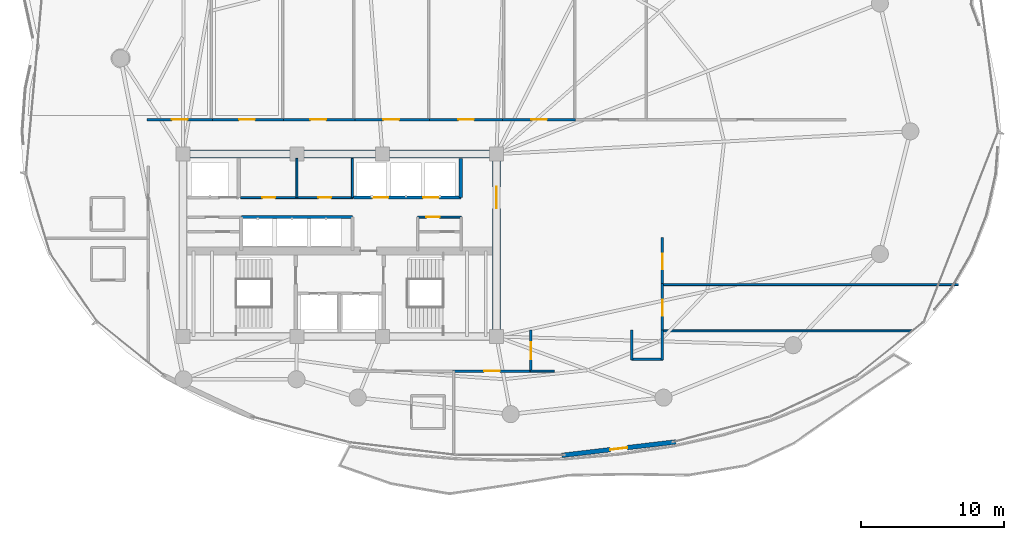
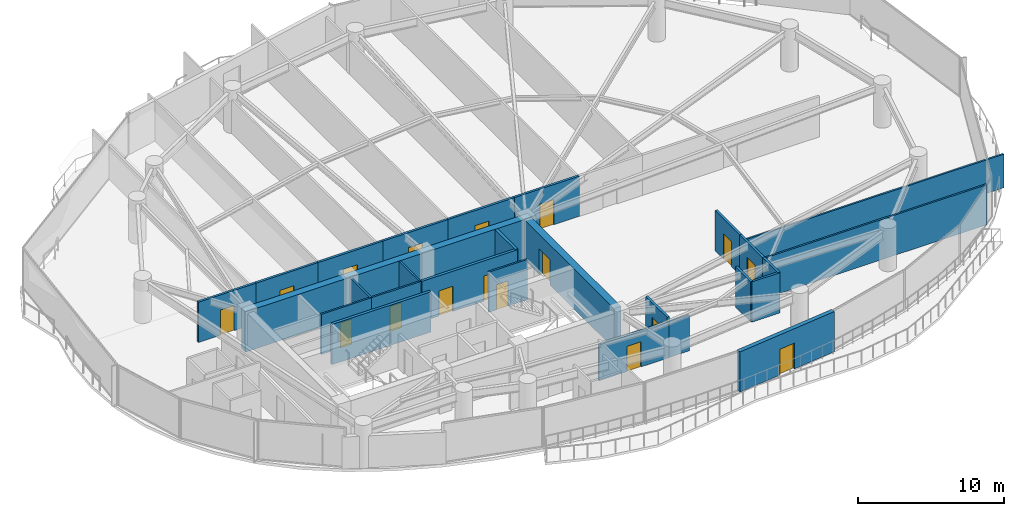
# One storey, part 27 of 33: 27 walls, 17 doors, 17 openings.
"""IFC4 building model written with IfcOpenShell, lengths in metres."""

from ifc_helpers import new_model, si_unit, direction, frame, frame_2d, origin, place, context, subcontext, project, spatial, rectangle, extrude, material, layer, layer_set, type_object, element, fill, save


model = new_model("IFC4")

# Units and contexts
model_context = context("Model", 3, precision=1e-05, world=origin(), true_north=direction((0.0, 1.0)))
body_context = subcontext(model_context, "Body", "Model", "MODEL_VIEW")
ifc_project = project(units=[si_unit("LENGTHUNIT", "METRE"), si_unit("AREAUNIT", "SQUARE_METRE"), si_unit("VOLUMEUNIT", "CUBIC_METRE"), si_unit("PLANEANGLEUNIT", "RADIAN"), si_unit("MASSUNIT", "GRAM", prefix="KILO")], contexts=[model_context])

# Site, building, storey
site_placement = place(None, origin())
site = spatial("IfcSite", under=ifc_project, at=site_placement, CompositionType="ELEMENT")
building_placement = place(site_placement, origin())
building = spatial("IfcBuilding", under=site, at=building_placement, Name="Kazevale Care Tower and Concert Hall", CompositionType="ELEMENT")
storey_placement = place(building_placement, frame((0.0, 0.0, 153.0)))
storey = spatial("IfcBuildingStorey", under=building, at=storey_placement, Name="L40", CompositionType="ELEMENT", Elevation=153.0)

# Wall, opening, door
ifc_material_1 = material(Name="Acoustic Gypsum on Steel Stud", Category="steel")
ifc_layer_1 = layer(ifc_material_1, 0.139892578125)
ifc_layer_set_1 = layer_set([ifc_layer_1], Name="Acoustic Gypsum on Steel Stud")
wall_type_1 = type_object("IfcWallType", Name="Acoustic Care & Suite Partition 140", PredefinedType="PARTITIONING", material=ifc_layer_set_1)
wall_1_placement = place(storey_placement, frame((26.050048828125, 33.35009765625, 0.0), z_axis=(0.0, 0.0, 1.0), x_axis=(1.0, 0.0, 0.0)))
wall_1 = element("IfcWall", 1, at=wall_1_placement, inside=storey, type_object=wall_type_1, Name="wall:L40:c_rpl1_s", PredefinedType="PARTITIONING", context=body_context, shape_type="SweptSolid", body=[
    extrude(rectangle(XDim=3.949951171875, YDim=0.139892578125, at=frame_2d((1.97509765625, 0.0))), origin(), (0.0, 0.0, 1.0), 3.360107421875),
])
opening_1_placement = place(wall_1_placement, frame((1.514892578125, 0.0, 0.0)))
opening_1 = element("IfcOpeningElement", 2, at=opening_1_placement, cuts=wall_1, Name="Opening ID-900", PredefinedType="OPENING", context=body_context, shape_type="SweptSolid", body=[
    extrude(rectangle(XDim=0.919921875, YDim=2.10009765625, at=frame_2d((0.4599609375, 1.050048828125))), frame((0.0, 0.079833984375, 0.0), z_axis=(0.0, -1.0, 0.0), x_axis=(1.0, 0.0, 0.0)), (0.0, 0.0, 1.0), 0.159912109375),
])
ifc_material_2 = material(Name="Oak Timber Fire Leaf", Category="wood")
door_type_1 = type_object("IfcDoorType", Name="Bathroom & Service Door 920x2100", OperationType="NOTDEFINED", PredefinedType="DOOR", material=ifc_material_2)
door_1_placement = place(opening_1_placement, origin())
door_1 = element("IfcDoor", 3, at=door_1_placement, inside=storey, type_object=door_type_1, Name="door:L40:d_rpl1", OperationType="SINGLE_SWING_LEFT", OverallHeight=2.10009765625, OverallWidth=0.919921875, PredefinedType="DOOR", context=body_context, shape_type="SweptSolid", body=[
    extrude(rectangle(XDim=0.919921875, YDim=2.10009765625, at=frame_2d((0.4599609375, 1.050048828125))), frame((0.0, 0.02490234375, 0.0), z_axis=(0.0, -1.0, 0.0), x_axis=(1.0, 0.0, 0.0)), (0.0, 0.0, 1.0), 0.050048828125),
])
fill(opening_1, door_1)

wall_2_placement = place(storey_placement, frame((30.0, 33.35009765625, 0.0), z_axis=(0.0, 0.0, 1.0), x_axis=(1.0, 0.0, 0.0)))
wall_2 = element("IfcWall", 4, at=wall_2_placement, inside=storey, type_object=wall_type_1, Name="wall:L40:c_rpl2_s", PredefinedType="PARTITIONING", context=body_context, shape_type="SweptSolid", body=[
    extrude(rectangle(XDim=3.919921875, YDim=0.139892578125, at=frame_2d((1.9599609375, 0.0))), origin(), (0.0, 0.0, 1.0), 3.360107421875),
])
opening_2_placement = place(wall_2_placement, frame((1.5, 0.0, 0.0)))
opening_2 = element("IfcOpeningElement", 5, at=opening_2_placement, cuts=wall_2, Name="Opening ID-900", PredefinedType="OPENING", context=body_context, shape_type="SweptSolid", body=[
    extrude(rectangle(XDim=0.919921875, YDim=2.10009765625, at=frame_2d((0.4599609375, 1.050048828125))), frame((0.0, 0.079833984375, 0.0), z_axis=(0.0, -1.0, 0.0), x_axis=(1.0, 0.0, 0.0)), (0.0, 0.0, 1.0), 0.159912109375),
])
door_2_placement = place(opening_2_placement, origin())
door_2 = element("IfcDoor", 6, at=door_2_placement, inside=storey, type_object=door_type_1, Name="door:L40:d_rpl2", OperationType="SINGLE_SWING_RIGHT", OverallHeight=2.10009765625, OverallWidth=0.919921875, PredefinedType="DOOR", context=body_context, shape_type="SweptSolid", body=[
    extrude(rectangle(XDim=0.919921875, YDim=2.10009765625, at=frame_2d((0.4599609375, 1.050048828125))), frame((0.0, 0.02490234375, 0.0), z_axis=(0.0, -1.0, 0.0), x_axis=(1.0, 0.0, 0.0)), (0.0, 0.0, 1.0), 0.050048828125),
])
fill(opening_2, door_2)

# Walls
for number, where, z_axis, x_axis, name in (
    (7, (30.0, 33.35009765625, 0.0), (0.0, 0.0, 1.0), (0.0, 1.0, 0.0), "wall:L40:c_rpl_m"),
    (8, (33.89990234375, 33.35009765625, 0.0), (0.0, 0.0, 1.0), (0.0, 1.0, 0.0), "wall:L40:c_rpl_e"),
):
    element("IfcWall", number, at=place(storey_placement, frame(where, z_axis=z_axis, x_axis=x_axis)), inside=storey, type_object=wall_type_1, Name=name, PredefinedType="PARTITIONING", context=body_context, shape_type="SweptSolid", body=[
        extrude(rectangle(XDim=2.75, YDim=0.139892578125, at=frame_2d((1.375, 0.0))), origin(), (0.0, 0.0, 1.0), 3.360107421875),
    ])

# Wall, opening, door
wall_3_placement = place(storey_placement, frame((38.47998046875, 31.97998046875, 0.0), z_axis=(0.0, 0.0, 1.0), x_axis=(1.0, 0.0, 0.0)))
wall_3 = element("IfcWall", 9, at=wall_3_placement, inside=storey, type_object=wall_type_1, Name="wall:L40:kc_en", PredefinedType="PARTITIONING", context=body_context, shape_type="SweptSolid", body=[
    extrude(rectangle(XDim=3.0400390625, YDim=0.139892578125, at=frame_2d((1.52001953125, 0.0))), origin(), (0.0, 0.0, 1.0), 3.360107421875),
])
opening_3_placement = place(wall_3_placement, frame((0.614013671875, 0.0, 0.0)))
opening_3 = element("IfcOpeningElement", 10, at=opening_3_placement, cuts=wall_3, Name="Opening ID-900", PredefinedType="OPENING", context=body_context, shape_type="SweptSolid", body=[
    extrude(rectangle(XDim=0.919921875, YDim=2.10009765625, at=frame_2d((0.4599609375, 1.050048828125))), frame((0.0, 0.079833984375, 0.0), z_axis=(0.0, -1.0, 0.0), x_axis=(1.0, 0.0, 0.0)), (0.0, 0.0, 1.0), 0.159912109375),
])
door_3_placement = place(opening_3_placement, origin())
door_3 = element("IfcDoor", 11, at=door_3_placement, inside=storey, type_object=door_type_1, Name="door:L40:d_kcet", OperationType="SINGLE_SWING_LEFT", OverallHeight=2.10009765625, OverallWidth=0.919921875, PredefinedType="DOOR", context=body_context, shape_type="SweptSolid", body=[
    extrude(rectangle(XDim=0.919921875, YDim=2.10009765625, at=frame_2d((0.4599609375, 1.050048828125))), frame((0.0, 0.02490234375, 0.0), z_axis=(0.0, -1.0, 0.0), x_axis=(1.0, 0.0, 0.0)), (0.0, 0.0, 1.0), 0.050048828125),
])
fill(opening_3, door_3)

# Walls
wall_4_placement = place(storey_placement, frame((55.6201171875, 24.0, 0.0), z_axis=(0.0, 0.0, 1.0), x_axis=(1.0, 0.0, 0.0)))
element("IfcWall", 12, at=wall_4_placement, inside=storey, type_object=wall_type_1, Name="wall:L40:auto_026", PredefinedType="PARTITIONING", context=body_context, shape_type="SweptSolid", body=[
    extrude(rectangle(XDim=17.572998046875, YDim=0.139892578125, at=frame_2d((8.78662109375, 0.0))), origin(), (0.0, 0.0, 1.0), 3.360107421875),
])
wall_5_placement = place(storey_placement, frame((48.06494140625, 21.175048828125, 0.0), z_axis=(0.0, 0.0, 1.0), x_axis=(-1.0, 0.0, 0.0)))
element("IfcWall", 13, at=wall_5_placement, inside=storey, type_object=wall_type_1, Name="wall:L40:auto_027", PredefinedType="PARTITIONING", context=body_context, shape_type="SweptSolid", body=[
    extrude(rectangle(XDim=1.669921875, YDim=0.139892578125, at=frame_2d((0.8349609375, 0.0))), origin(), (0.0, 0.0, 1.0), 2.99609375),
])
wall_6_placement = place(storey_placement, frame((55.6201171875, 27.25, 0.0), z_axis=(0.0, 0.0, 1.0), x_axis=(1.0, 0.0, 0.0)))
element("IfcWall", 14, at=wall_6_placement, inside=storey, type_object=wall_type_1, Name="wall:L40:auto_028", PredefinedType="PARTITIONING", context=body_context, shape_type="SweptSolid", body=[
    extrude(rectangle(XDim=20.79296875, YDim=0.139892578125, at=frame_2d((10.396484375, 0.0))), origin(), (0.0, 0.0, 1.0), 2.805908203125),
])
ifc_material_3 = material(Name="Concrete C60", Category="concrete")
ifc_layer_2 = layer(ifc_material_3, 0.550048828125)
ifc_layer_set_2 = layer_set([ifc_layer_2], Name="Concrete C60")
wall_type_2 = type_object("IfcWallType", Name="Core Shear Wall 550 C60", PredefinedType="SHEAR", material=ifc_layer_set_2)
wall_7_placement = place(storey_placement, frame((21.72509765625, 36.39990234375, 0.0), z_axis=(0.0, 0.0, 1.0), x_axis=(1.0, 0.0, 0.0)))
element("IfcWall", 15, at=wall_7_placement, inside=storey, type_object=wall_type_2, Name="wall:L40:core:N", PredefinedType="SHEAR", context=body_context, shape_type="SweptSolid", body=[
    extrude(rectangle(XDim=22.5498046875, YDim=0.550048828125, at=frame_2d((11.27490234375, 0.0))), origin(), (0.0, 0.0, 1.0), 3.360107421875),
])

# Wall, opening, door
wall_8_placement = place(storey_placement, frame((44.0, 23.875, 0.0), z_axis=(0.0, 0.0, 1.0), x_axis=(0.0, 1.0, 0.0)))
wall_8 = element("IfcWall", 16, at=wall_8_placement, inside=storey, type_object=wall_type_2, Name="wall:L40:core:E", PredefinedType="SHEAR", context=body_context, shape_type="SweptSolid", body=[
    extrude(rectangle(XDim=12.25, YDim=0.550048828125, at=frame_2d((6.125, 0.0))), origin(), (0.0, 0.0, 1.0), 3.360107421875),
])
opening_4_placement = place(wall_8_placement, frame((8.72509765625, 0.0, 0.0)))
opening_4 = element("IfcOpeningElement", 17, at=opening_4_placement, cuts=wall_8, Name="Opening FD-60D", PredefinedType="OPENING", context=body_context, shape_type="SweptSolid", body=[
    extrude(rectangle(XDim=1.5, YDim=2.14990234375, at=frame_2d((0.75, 1.074951171875))), frame((0.0, 0.284912109375, 0.0), z_axis=(0.0, -1.0, 0.0), x_axis=(1.0, 0.0, 0.0)), (0.0, 0.0, 1.0), 0.570068359375),
])
door_type_2 = type_object("IfcDoorType", Name="Double Lobby & Auditorium Fire Door 1500x2150", OperationType="NOTDEFINED", PredefinedType="DOOR", material=ifc_material_2)
door_4_placement = place(opening_4_placement, origin())
door_4 = element("IfcDoor", 18, at=door_4_placement, inside=storey, type_object=door_type_2, Name="door:L40:core_east_out", OperationType="DOUBLE_DOOR_SINGLE_SWING", OverallHeight=2.14990234375, OverallWidth=1.5, PredefinedType="DOOR", context=body_context, shape_type="SweptSolid", body=[
    extrude(rectangle(XDim=1.5, YDim=2.14990234375, at=frame_2d((0.75, 1.074951171875))), frame((0.0, 0.02490234375, 0.0), z_axis=(0.0, -1.0, 0.0), x_axis=(1.0, 0.0, 0.0)), (0.0, 0.0, 1.0), 0.050048828125),
])
fill(opening_4, door_4)

# Wall
ifc_material_4 = material(Name="Concrete C40", Category="concrete")
ifc_layer_3 = layer(ifc_material_4, 0.219970703125)
ifc_layer_set_3 = layer_set([ifc_layer_3], Name="Concrete C40")
wall_type_3 = type_object("IfcWallType", Name="Elevator Hoistway Shaft Wall 220", PredefinedType="SOLIDWALL", material=ifc_layer_set_3)
wall_9_placement = place(storey_placement, frame((26.10009765625, 31.97998046875, 0.0), z_axis=(0.0, 0.0, 1.0), x_axis=(1.0, 0.0, 0.0)))
element("IfcWall", 19, at=wall_9_placement, inside=storey, type_object=wall_type_3, Name="wall:L40:c_ph_n", PredefinedType="SOLIDWALL", context=body_context, shape_type="SweptSolid", body=[
    extrude(rectangle(XDim=7.7998046875, YDim=0.219970703125, at=frame_2d((3.89990234375, 0.0))), origin(), (0.0, 0.0, 1.0), 3.360107421875),
])

# Wall, openings, doors
wall_10_placement = place(storey_placement, frame((33.97998046875, 33.35009765625, 0.0), z_axis=(0.0, 0.0, 1.0), x_axis=(1.0, 0.0, 0.0)))
wall_10 = element("IfcWall", 20, at=wall_10_placement, inside=storey, type_object=wall_type_3, Name="wall:L40:c_pm_s", PredefinedType="SOLIDWALL", context=body_context, shape_type="SweptSolid", body=[
    extrude(rectangle(XDim=7.5400390625, YDim=0.219970703125, at=frame_2d((3.77001953125, 0.0))), origin(), (0.0, 0.0, 1.0), 3.360107421875),
])
opening_5_placement = place(wall_10_placement, frame((1.3349609375, 0.0, 0.0)))
opening_5 = element("IfcOpeningElement", 21, at=opening_5_placement, cuts=wall_10, Name="Opening LD-PAX", PredefinedType="OPENING", context=body_context, shape_type="SweptSolid", body=[
    extrude(rectangle(XDim=1.10009765625, YDim=2.10009765625, at=frame_2d((0.550048828125, 1.050048828125))), frame((0.0, 0.119873046875, 0.0), z_axis=(0.0, -1.0, 0.0), x_axis=(1.0, 0.0, 0.0)), (0.0, 0.0, 1.0), 0.239990234375),
])
opening_6_placement = place(wall_10_placement, frame((4.87890625, 0.0, 0.0)))
opening_6 = element("IfcOpeningElement", 22, at=opening_6_placement, cuts=wall_10, Name="Opening LD-PAX", PredefinedType="OPENING", context=body_context, shape_type="SweptSolid", body=[
    extrude(rectangle(XDim=1.10009765625, YDim=2.10009765625, at=frame_2d((0.550048828125, 1.050048828125))), frame((0.0, 0.119873046875, 0.0), z_axis=(0.0, -1.0, 0.0), x_axis=(1.0, 0.0, 0.0)), (0.0, 0.0, 1.0), 0.239990234375),
])
ifc_material_5 = material(Name="Stainless Steel 316", Category="steel")
door_type_3 = type_object("IfcDoorType", Name="Passenger Lift Sliding Landing Door 1100x2100", OperationType="NOTDEFINED", PredefinedType="DOOR", material=ifc_material_5)
door_5_placement = place(opening_5_placement, origin())
door_5 = element("IfcDoor", 23, at=door_5_placement, inside=storey, type_object=door_type_3, Name="door:L40:ld_pm1", OperationType="SLIDING_TO_LEFT", OverallHeight=2.10009765625, OverallWidth=1.10009765625, PredefinedType="DOOR", context=body_context, shape_type="SweptSolid", body=[
    extrude(rectangle(XDim=1.10009765625, YDim=2.10009765625, at=frame_2d((0.550048828125, 1.050048828125))), frame((0.0, 0.02490234375, 0.0), z_axis=(0.0, -1.0, 0.0), x_axis=(1.0, 0.0, 0.0)), (0.0, 0.0, 1.0), 0.050048828125),
])
fill(opening_5, door_5)
door_6_placement = place(opening_6_placement, origin())
door_6 = element("IfcDoor", 24, at=door_6_placement, inside=storey, type_object=door_type_3, Name="door:L40:ld_pm2", OperationType="SLIDING_TO_RIGHT", OverallHeight=2.10009765625, OverallWidth=1.10009765625, PredefinedType="DOOR", context=body_context, shape_type="SweptSolid", body=[
    extrude(rectangle(XDim=1.10009765625, YDim=2.10009765625, at=frame_2d((0.550048828125, 1.050048828125))), frame((0.0, 0.02490234375, 0.0), z_axis=(0.0, -1.0, 0.0), x_axis=(1.0, 0.0, 0.0)), (0.0, 0.0, 1.0), 0.050048828125),
])
fill(opening_6, door_6)

# Wall
wall_11_placement = place(storey_placement, frame((41.5, 33.35009765625, 0.0), z_axis=(0.0, 0.0, 1.0), x_axis=(0.0, 1.0, 0.0)))
element("IfcWall", 25, at=wall_11_placement, inside=storey, type_object=wall_type_3, Name="wall:L40:c_pm_e", PredefinedType="SOLIDWALL", context=body_context, shape_type="SweptSolid", body=[
    extrude(rectangle(XDim=2.75, YDim=0.219970703125, at=frame_2d((1.375, 0.0))), origin(), (0.0, 0.0, 1.0), 3.360107421875),
])

# Wall, opening, door
ifc_material_6 = material(Name="Concrete C40 and Acoustic Gypsum", Category="concrete")
ifc_layer_4 = layer(ifc_material_6, 0.179931640625)
ifc_layer_set_4 = layer_set([ifc_layer_4], Name="Concrete C40 and Acoustic Gypsum")
wall_type_4 = type_object("IfcWallType", Name="Fire-Rated Corridor & Party Wall 180", PredefinedType="PARTITIONING", material=ifc_layer_set_4)
wall_12_placement = place(storey_placement, frame((19.4951171875, 38.824951171875, 0.0), z_axis=(0.0, 0.0, 1.0), x_axis=(1.0, 0.0, 0.0)))
wall_12 = element("IfcWall", 26, at=wall_12_placement, inside=storey, type_object=wall_type_4, Name="wall:L40:auto_001", PredefinedType="PARTITIONING", context=body_context, shape_type="SweptSolid", body=[
    extrude(rectangle(XDim=4.56982421875, YDim=0.179931640625, at=frame_2d((2.284912109375, 0.0))), origin(), (0.0, 0.0, 1.0), 3.360107421875),
])
opening_7_placement = place(wall_12_placement, frame((1.735107421875, 0.0, 0.0)))
opening_7 = element("IfcOpeningElement", 27, at=opening_7_placement, cuts=wall_12, Name="Opening ID-1100", PredefinedType="OPENING", context=body_context, shape_type="SweptSolid", body=[
    extrude(rectangle(XDim=1.10009765625, YDim=2.10009765625, at=frame_2d((0.550048828125, 1.050048828125))), frame((0.0, 0.099853515625, 0.0), z_axis=(0.0, -1.0, 0.0), x_axis=(1.0, 0.0, 0.0)), (0.0, 0.0, 1.0), 0.199951171875),
])
door_type_4 = type_object("IfcDoorType", Name="Care Bedroom Accessible Door 1100x2100", OperationType="NOTDEFINED", PredefinedType="DOOR", material=ifc_material_2)
door_7_placement = place(opening_7_placement, origin())
door_7 = element("IfcDoor", 28, at=door_7_placement, inside=storey, type_object=door_type_4, Name="door:L40:ad_001", OperationType="SINGLE_SWING_LEFT", OverallHeight=2.10009765625, OverallWidth=1.10009765625, PredefinedType="DOOR", context=body_context, shape_type="SweptSolid", body=[
    extrude(rectangle(XDim=1.10009765625, YDim=2.10009765625, at=frame_2d((0.550048828125, 1.050048828125))), frame((0.0, 0.02490234375, 0.0), z_axis=(0.0, -1.0, 0.0), x_axis=(1.0, 0.0, 0.0)), (0.0, 0.0, 1.0), 0.050048828125),
])
fill(opening_7, door_7)

wall_13_placement = place(storey_placement, frame((23.93505859375, 38.824951171875, 0.0), z_axis=(0.0, 0.0, 1.0), x_axis=(1.0, 0.0, 0.0)))
wall_13 = element("IfcWall", 29, at=wall_13_placement, inside=storey, type_object=wall_type_4, Name="wall:L40:auto_002", PredefinedType="PARTITIONING", context=body_context, shape_type="SweptSolid", body=[
    extrude(rectangle(XDim=5.1298828125, YDim=0.179931640625, at=frame_2d((2.56494140625, 0.0))), origin(), (0.0, 0.0, 1.0), 3.360107421875),
])
opening_8_placement = place(wall_13_placement, frame((2.014892578125, 0.0, 0.0)))
opening_8 = element("IfcOpeningElement", 30, at=opening_8_placement, cuts=wall_13, Name="Opening ID-1100", PredefinedType="OPENING", context=body_context, shape_type="SweptSolid", body=[
    extrude(rectangle(XDim=1.10009765625, YDim=2.10009765625, at=frame_2d((0.550048828125, 1.050048828125))), frame((0.0, 0.099853515625, 0.0), z_axis=(0.0, -1.0, 0.0), x_axis=(1.0, 0.0, 0.0)), (0.0, 0.0, 1.0), 0.199951171875),
])
door_8_placement = place(opening_8_placement, origin())
door_8 = element("IfcDoor", 31, at=door_8_placement, inside=storey, type_object=door_type_4, Name="door:L40:ad_002", OperationType="SINGLE_SWING_LEFT", OverallHeight=2.10009765625, OverallWidth=1.10009765625, PredefinedType="DOOR", context=body_context, shape_type="SweptSolid", body=[
    extrude(rectangle(XDim=1.10009765625, YDim=2.10009765625, at=frame_2d((0.550048828125, 1.050048828125))), frame((0.0, 0.02490234375, 0.0), z_axis=(0.0, -1.0, 0.0), x_axis=(1.0, 0.0, 0.0)), (0.0, 0.0, 1.0), 0.050048828125),
])
fill(opening_8, door_8)

wall_14_placement = place(storey_placement, frame((28.93505859375, 38.824951171875, 0.0), z_axis=(0.0, 0.0, 1.0), x_axis=(1.0, 0.0, 0.0)))
wall_14 = element("IfcWall", 32, at=wall_14_placement, inside=storey, type_object=wall_type_4, Name="wall:L40:auto_003", PredefinedType="PARTITIONING", context=body_context, shape_type="SweptSolid", body=[
    extrude(rectangle(XDim=5.1298828125, YDim=0.179931640625, at=frame_2d((2.56494140625, 0.0))), origin(), (0.0, 0.0, 1.0), 3.360107421875),
])
opening_9_placement = place(wall_14_placement, frame((2.014892578125, 0.0, 0.0)))
opening_9 = element("IfcOpeningElement", 33, at=opening_9_placement, cuts=wall_14, Name="Opening ID-1100", PredefinedType="OPENING", context=body_context, shape_type="SweptSolid", body=[
    extrude(rectangle(XDim=1.10009765625, YDim=2.10009765625, at=frame_2d((0.550048828125, 1.050048828125))), frame((0.0, 0.099853515625, 0.0), z_axis=(0.0, -1.0, 0.0), x_axis=(1.0, 0.0, 0.0)), (0.0, 0.0, 1.0), 0.199951171875),
])
door_9_placement = place(opening_9_placement, origin())
door_9 = element("IfcDoor", 34, at=door_9_placement, inside=storey, type_object=door_type_4, Name="door:L40:ad_003", OperationType="SINGLE_SWING_LEFT", OverallHeight=2.10009765625, OverallWidth=1.10009765625, PredefinedType="DOOR", context=body_context, shape_type="SweptSolid", body=[
    extrude(rectangle(XDim=1.10009765625, YDim=2.10009765625, at=frame_2d((0.550048828125, 1.050048828125))), frame((0.0, 0.02490234375, 0.0), z_axis=(0.0, -1.0, 0.0), x_axis=(1.0, 0.0, 0.0)), (0.0, 0.0, 1.0), 0.050048828125),
])
fill(opening_9, door_9)

wall_15_placement = place(storey_placement, frame((33.93505859375, 38.824951171875, 0.0), z_axis=(0.0, 0.0, 1.0), x_axis=(1.0, 0.0, 0.0)))
wall_15 = element("IfcWall", 35, at=wall_15_placement, inside=storey, type_object=wall_type_4, Name="wall:L40:auto_004", PredefinedType="PARTITIONING", context=body_context, shape_type="SweptSolid", body=[
    extrude(rectangle(XDim=5.3798828125, YDim=0.179931640625, at=frame_2d((2.68994140625, 0.0))), origin(), (0.0, 0.0, 1.0), 3.360107421875),
])
opening_10_placement = place(wall_15_placement, frame((2.139892578125, 0.0, 0.0)))
opening_10 = element("IfcOpeningElement", 36, at=opening_10_placement, cuts=wall_15, Name="Opening ID-1100", PredefinedType="OPENING", context=body_context, shape_type="SweptSolid", body=[
    extrude(rectangle(XDim=1.10009765625, YDim=2.10009765625, at=frame_2d((0.550048828125, 1.050048828125))), frame((0.0, 0.099853515625, 0.0), z_axis=(0.0, -1.0, 0.0), x_axis=(1.0, 0.0, 0.0)), (0.0, 0.0, 1.0), 0.199951171875),
])
door_10_placement = place(opening_10_placement, origin())
door_10 = element("IfcDoor", 37, at=door_10_placement, inside=storey, type_object=door_type_4, Name="door:L40:ad_004", OperationType="SINGLE_SWING_LEFT", OverallHeight=2.10009765625, OverallWidth=1.10009765625, PredefinedType="DOOR", context=body_context, shape_type="SweptSolid", body=[
    extrude(rectangle(XDim=1.10009765625, YDim=2.10009765625, at=frame_2d((0.550048828125, 1.050048828125))), frame((0.0, 0.02490234375, 0.0), z_axis=(0.0, -1.0, 0.0), x_axis=(1.0, 0.0, 0.0)), (0.0, 0.0, 1.0), 0.050048828125),
])
fill(opening_10, door_10)

wall_16_placement = place(storey_placement, frame((39.18505859375, 38.824951171875, 0.0), z_axis=(0.0, 0.0, 1.0), x_axis=(1.0, 0.0, 0.0)))
wall_16 = element("IfcWall", 38, at=wall_16_placement, inside=storey, type_object=wall_type_4, Name="wall:L40:auto_005", PredefinedType="PARTITIONING", context=body_context, shape_type="SweptSolid", body=[
    extrude(rectangle(XDim=5.3798828125, YDim=0.179931640625, at=frame_2d((2.68994140625, 0.0))), origin(), (0.0, 0.0, 1.0), 3.360107421875),
])
opening_11_placement = place(wall_16_placement, frame((2.139892578125, 0.0, 0.0)))
opening_11 = element("IfcOpeningElement", 39, at=opening_11_placement, cuts=wall_16, Name="Opening ID-1100", PredefinedType="OPENING", context=body_context, shape_type="SweptSolid", body=[
    extrude(rectangle(XDim=1.10009765625, YDim=2.10009765625, at=frame_2d((0.550048828125, 1.050048828125))), frame((0.0, 0.099853515625, 0.0), z_axis=(0.0, -1.0, 0.0), x_axis=(1.0, 0.0, 0.0)), (0.0, 0.0, 1.0), 0.199951171875),
])
door_11_placement = place(opening_11_placement, origin())
door_11 = element("IfcDoor", 40, at=door_11_placement, inside=storey, type_object=door_type_4, Name="door:L40:ad_005", OperationType="SINGLE_SWING_LEFT", OverallHeight=2.10009765625, OverallWidth=1.10009765625, PredefinedType="DOOR", context=body_context, shape_type="SweptSolid", body=[
    extrude(rectangle(XDim=1.10009765625, YDim=2.10009765625, at=frame_2d((0.550048828125, 1.050048828125))), frame((0.0, 0.02490234375, 0.0), z_axis=(0.0, -1.0, 0.0), x_axis=(1.0, 0.0, 0.0)), (0.0, 0.0, 1.0), 0.050048828125),
])
fill(opening_11, door_11)

wall_17_placement = place(storey_placement, frame((44.43505859375, 38.824951171875, 0.0), z_axis=(0.0, 0.0, 1.0), x_axis=(1.0, 0.0, 0.0)))
wall_17 = element("IfcWall", 41, at=wall_17_placement, inside=storey, type_object=wall_type_4, Name="wall:L40:auto_006", PredefinedType="PARTITIONING", context=body_context, shape_type="SweptSolid", body=[
    extrude(rectangle(XDim=5.1298828125, YDim=0.179931640625, at=frame_2d((2.56494140625, 0.0))), origin(), (0.0, 0.0, 1.0), 3.360107421875),
])
opening_12_placement = place(wall_17_placement, frame((2.014892578125, 0.0, 0.0)))
opening_12 = element("IfcOpeningElement", 42, at=opening_12_placement, cuts=wall_17, Name="Opening ID-1100", PredefinedType="OPENING", context=body_context, shape_type="SweptSolid", body=[
    extrude(rectangle(XDim=1.10009765625, YDim=2.10009765625, at=frame_2d((0.550048828125, 1.050048828125))), frame((0.0, 0.099853515625, 0.0), z_axis=(0.0, -1.0, 0.0), x_axis=(1.0, 0.0, 0.0)), (0.0, 0.0, 1.0), 0.199951171875),
])
door_12_placement = place(opening_12_placement, origin())
door_12 = element("IfcDoor", 43, at=door_12_placement, inside=storey, type_object=door_type_4, Name="door:L40:ad_006", OperationType="SINGLE_SWING_LEFT", OverallHeight=2.10009765625, OverallWidth=1.10009765625, PredefinedType="DOOR", context=body_context, shape_type="SweptSolid", body=[
    extrude(rectangle(XDim=1.10009765625, YDim=2.10009765625, at=frame_2d((0.550048828125, 1.050048828125))), frame((0.0, 0.02490234375, 0.0), z_axis=(0.0, -1.0, 0.0), x_axis=(1.0, 0.0, 0.0)), (0.0, 0.0, 1.0), 0.050048828125),
])
fill(opening_12, door_12)

wall_18_placement = place(storey_placement, frame((46.425048828125, 24.06494140625, 0.0), z_axis=(0.0, 0.0, 1.0), x_axis=(0.0, -1.0, 0.0)))
wall_18 = element("IfcWall", 44, at=wall_18_placement, inside=storey, type_object=wall_type_4, Name="wall:L40:auto_009", PredefinedType="PARTITIONING", context=body_context, shape_type="SweptSolid", body=[
    extrude(rectangle(XDim=2.919921875, YDim=0.179931640625, at=frame_2d((1.4599609375, 0.0))), origin(), (0.0, 0.0, 1.0), 3.360107421875),
])
opening_13_placement = place(wall_18_placement, frame((0.860107421875, 0.0, 0.0)))
opening_13 = element("IfcOpeningElement", 45, at=opening_13_placement, cuts=wall_18, Name="Opening ID-1200", PredefinedType="OPENING", context=body_context, shape_type="SweptSolid", body=[
    extrude(rectangle(XDim=1.199951171875, YDim=2.14990234375, at=frame_2d((0.60009765625, 1.074951171875))), frame((0.0, 0.099853515625, 0.0), z_axis=(0.0, -1.0, 0.0), x_axis=(1.0, 0.0, 0.0)), (0.0, 0.0, 1.0), 0.199951171875),
])
door_type_5 = type_object("IfcDoorType", Name="Clinical & Therapy Door 1200x2150", OperationType="NOTDEFINED", PredefinedType="DOOR", material=ifc_material_2)
door_13_placement = place(opening_13_placement, origin())
door_13 = element("IfcDoor", 46, at=door_13_placement, inside=storey, type_object=door_type_5, Name="door:L40:ad_009", OperationType="SINGLE_SWING_LEFT", OverallHeight=2.14990234375, OverallWidth=1.199951171875, PredefinedType="DOOR", context=body_context, shape_type="SweptSolid", body=[
    extrude(rectangle(XDim=1.199951171875, YDim=2.14990234375, at=frame_2d((0.60009765625, 1.074951171875))), frame((0.0, 0.02490234375, 0.0), z_axis=(0.0, -1.0, 0.0), x_axis=(1.0, 0.0, 0.0)), (0.0, 0.0, 1.0), 0.050048828125),
])
fill(opening_13, door_13)

# Walls
wall_19_placement = place(storey_placement, frame((55.679931640625, 22.0, 0.0), z_axis=(0.0, 0.0, 1.0), x_axis=(-1.0, 0.0, 0.0)))
element("IfcWall", 47, at=wall_19_placement, inside=storey, type_object=wall_type_4, Name="wall:L40:auto_010", PredefinedType="PARTITIONING", context=body_context, shape_type="SweptSolid", body=[
    extrude(rectangle(XDim=2.2099609375, YDim=0.179931640625, at=frame_2d((1.10498046875, 0.0))), origin(), (0.0, 0.0, 1.0), 3.360107421875),
])
for number, where, z_axis, x_axis, name in (
    (48, (55.64990234375, 24.06494140625, 0.0), (0.0, 0.0, 1.0), (0.0, -1.0, 0.0), "wall:L40:auto_011"),
    (49, (53.5, 21.969970703125, 0.0), (0.0, 0.0, 1.0), (0.0, 1.0, 0.0), "wall:L40:auto_012"),
):
    element("IfcWall", number, at=place(storey_placement, frame(where, z_axis=z_axis, x_axis=x_axis)), inside=storey, type_object=wall_type_4, Name=name, PredefinedType="PARTITIONING", context=body_context, shape_type="SweptSolid", body=[
        extrude(rectangle(XDim=2.094970703125, YDim=0.179931640625, at=frame_2d((1.04736328125, 0.0))), origin(), (0.0, 0.0, 1.0), 3.360107421875),
    ])

# Wall, opening, door
wall_20_placement = place(storey_placement, frame((55.64990234375, 27.31494140625, 0.0), z_axis=(0.0, 0.0, 1.0), x_axis=(0.0, -1.0, 0.0)))
wall_20 = element("IfcWall", 50, at=wall_20_placement, inside=storey, type_object=wall_type_4, Name="wall:L40:auto_013", PredefinedType="PARTITIONING", context=body_context, shape_type="SweptSolid", body=[
    extrude(rectangle(XDim=3.3798828125, YDim=0.179931640625, at=frame_2d((1.68994140625, 0.0))), origin(), (0.0, 0.0, 1.0), 3.360107421875),
])
opening_14_placement = place(wall_20_placement, frame((1.139892578125, 0.0, 0.0)))
opening_14 = element("IfcOpeningElement", 51, at=opening_14_placement, cuts=wall_20, Name="Opening ID-1100", PredefinedType="OPENING", context=body_context, shape_type="SweptSolid", body=[
    extrude(rectangle(XDim=1.10009765625, YDim=2.10009765625, at=frame_2d((0.550048828125, 1.050048828125))), frame((0.0, 0.099853515625, 0.0), z_axis=(0.0, -1.0, 0.0), x_axis=(1.0, 0.0, 0.0)), (0.0, 0.0, 1.0), 0.199951171875),
])
door_14_placement = place(opening_14_placement, origin())
door_14 = element("IfcDoor", 52, at=door_14_placement, inside=storey, type_object=door_type_4, Name="door:L40:ad_013", OperationType="SINGLE_SWING_LEFT", OverallHeight=2.10009765625, OverallWidth=1.10009765625, PredefinedType="DOOR", context=body_context, shape_type="SweptSolid", body=[
    extrude(rectangle(XDim=1.10009765625, YDim=2.10009765625, at=frame_2d((0.550048828125, 1.050048828125))), frame((0.0, 0.02490234375, 0.0), z_axis=(0.0, -1.0, 0.0), x_axis=(1.0, 0.0, 0.0)), (0.0, 0.0, 1.0), 0.050048828125),
])
fill(opening_14, door_14)

wall_21_placement = place(storey_placement, frame((55.64990234375, 30.56494140625, 0.0), z_axis=(0.0, 0.0, 1.0), x_axis=(0.0, -1.0, 0.0)))
wall_21 = element("IfcWall", 53, at=wall_21_placement, inside=storey, type_object=wall_type_4, Name="wall:L40:auto_014", PredefinedType="PARTITIONING", context=body_context, shape_type="SweptSolid", body=[
    extrude(rectangle(XDim=3.3798828125, YDim=0.179931640625, at=frame_2d((1.68994140625, 0.0))), origin(), (0.0, 0.0, 1.0), 3.360107421875),
])
opening_15_placement = place(wall_21_placement, frame((1.139892578125, 0.0, 0.0)))
opening_15 = element("IfcOpeningElement", 54, at=opening_15_placement, cuts=wall_21, Name="Opening ID-1100", PredefinedType="OPENING", context=body_context, shape_type="SweptSolid", body=[
    extrude(rectangle(XDim=1.10009765625, YDim=2.10009765625, at=frame_2d((0.550048828125, 1.050048828125))), frame((0.0, 0.099853515625, 0.0), z_axis=(0.0, -1.0, 0.0), x_axis=(1.0, 0.0, 0.0)), (0.0, 0.0, 1.0), 0.199951171875),
])
door_15_placement = place(opening_15_placement, origin())
door_15 = element("IfcDoor", 55, at=door_15_placement, inside=storey, type_object=door_type_4, Name="door:L40:ad_014", OperationType="SINGLE_SWING_LEFT", OverallHeight=2.10009765625, OverallWidth=1.10009765625, PredefinedType="DOOR", context=body_context, shape_type="SweptSolid", body=[
    extrude(rectangle(XDim=1.10009765625, YDim=2.10009765625, at=frame_2d((0.550048828125, 1.050048828125))), frame((0.0, 0.02490234375, 0.0), z_axis=(0.0, -1.0, 0.0), x_axis=(1.0, 0.0, 0.0)), (0.0, 0.0, 1.0), 0.050048828125),
])
fill(opening_15, door_15)

wall_22_placement = place(storey_placement, frame((46.455078125, 21.175048828125, 0.0), z_axis=(0.0, 0.0, 1.0), x_axis=(-1.0, 0.0, 0.0)))
wall_22 = element("IfcWall", 56, at=wall_22_placement, inside=storey, type_object=wall_type_4, Name="wall:L40:auto_016", PredefinedType="PARTITIONING", context=body_context, shape_type="SweptSolid", body=[
    extrude(rectangle(XDim=5.52001953125, YDim=0.179931640625, at=frame_2d((2.760009765625, 0.0))), origin(), (0.0, 0.0, 1.0), 2.99609375),
])
opening_16_placement = place(wall_22_placement, frame((2.2099609375, 0.0, 0.0)))
opening_16 = element("IfcOpeningElement", 57, at=opening_16_placement, cuts=wall_22, Name="Opening ID-1100", PredefinedType="OPENING", context=body_context, shape_type="SweptSolid", body=[
    extrude(rectangle(XDim=1.10009765625, YDim=2.10009765625, at=frame_2d((0.550048828125, 1.050048828125))), frame((0.0, 0.099853515625, 0.0), z_axis=(0.0, -1.0, 0.0), x_axis=(1.0, 0.0, 0.0)), (0.0, 0.0, 1.0), 0.199951171875),
])
door_16_placement = place(opening_16_placement, origin())
door_16 = element("IfcDoor", 58, at=door_16_placement, inside=storey, type_object=door_type_4, Name="door:L40:ad_016", OperationType="SINGLE_SWING_LEFT", OverallHeight=2.10009765625, OverallWidth=1.10009765625, PredefinedType="DOOR", context=body_context, shape_type="SweptSolid", body=[
    extrude(rectangle(XDim=1.10009765625, YDim=2.10009765625, at=frame_2d((0.550048828125, 1.050048828125))), frame((0.0, 0.02490234375, 0.0), z_axis=(0.0, -1.0, 0.0), x_axis=(1.0, 0.0, 0.0)), (0.0, 0.0, 1.0), 0.050048828125),
])
fill(opening_16, door_16)

ifc_material_7 = material(Name="Concrete C40 with Honed Limestone Cladding", Category="masonry")
ifc_layer_5 = layer(ifc_material_7, 0.320068359375)
ifc_layer_set_5 = layer_set([ifc_layer_5], Name="Concrete C40 with Honed Limestone Cladding")
wall_type_5 = type_object("IfcWallType", Name="Tower Honed Limestone Spandrel Wall 320", PredefinedType="STANDARD", material=ifc_layer_set_5)
wall_23_placement = place(storey_placement, frame((56.5869140625, 16.205078125, 0.0), z_axis=(0.0, 0.0, 1.0), x_axis=(-0.993072847957, -0.117500292131, 0.0)))
wall_23 = element("IfcWall", 59, at=wall_23_placement, inside=storey, type_object=wall_type_5, Name="wall:L40:bal_host", PredefinedType="STANDARD", context=body_context, shape_type="SweptSolid", body=[
    extrude(rectangle(XDim=8.059814453125, YDim=0.320068359375, at=frame_2d((4.02978515625, 0.0))), origin(), (0.0, 0.0, 1.0), 3.360107421875),
])
opening_17_placement = place(wall_23_placement, frame((3.429931640625, 0.0, 0.0)))
opening_17 = element("IfcOpeningElement", 60, at=opening_17_placement, cuts=wall_23, Name="Opening BD-1200", PredefinedType="OPENING", context=body_context, shape_type="SweptSolid", body=[
    extrude(rectangle(XDim=1.199951171875, YDim=2.14990234375, at=frame_2d((0.60009765625, 1.074951171875))), frame((0.0, 0.169921875, 0.0), z_axis=(0.0, -1.0, 0.0), x_axis=(1.0, 0.0, 0.0)), (0.0, 0.0, 1.0), 0.340087890625),
])
ifc_material_8 = material(Name="Aluminium 6063-T6 and Low-E Glass", Category="aluminium")
door_type_6 = type_object("IfcDoorType", Name="Sheltered Balcony Glazed Door 1200x2150", OperationType="NOTDEFINED", PredefinedType="DOOR", material=ifc_material_8)
door_17_placement = place(opening_17_placement, origin())
door_17 = element("IfcDoor", 61, at=door_17_placement, inside=storey, type_object=door_type_6, Name="door:L40:BD-1", OperationType="SINGLE_SWING_LEFT", OverallHeight=2.14990234375, OverallWidth=1.199951171875, PredefinedType="DOOR", context=body_context, shape_type="SweptSolid", body=[
    extrude(rectangle(XDim=1.199951171875, YDim=2.14990234375, at=frame_2d((0.60009765625, 1.074951171875))), frame((0.0, 0.02490234375, 0.0), z_axis=(0.0, -1.0, 0.0), x_axis=(1.0, 0.0, 0.0)), (0.0, 0.0, 1.0), 0.050048828125),
])
fill(opening_17, door_17)

save(model, "model.ifc")
